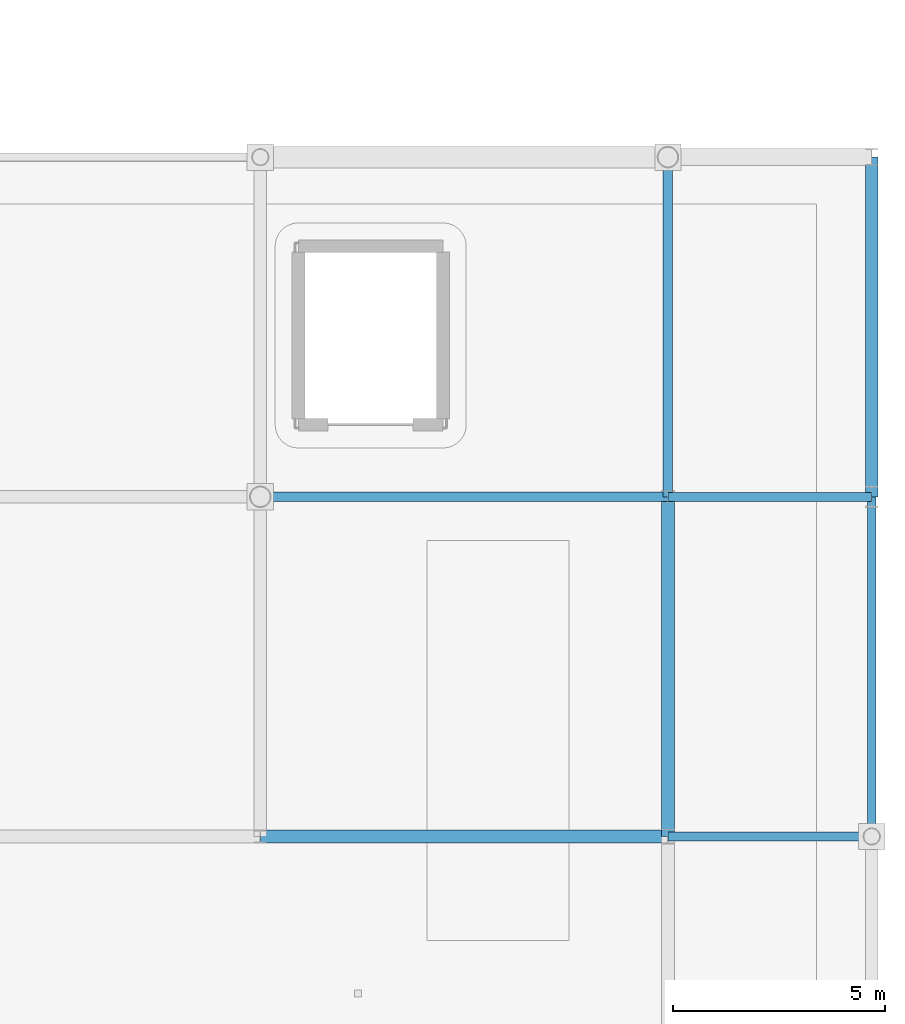
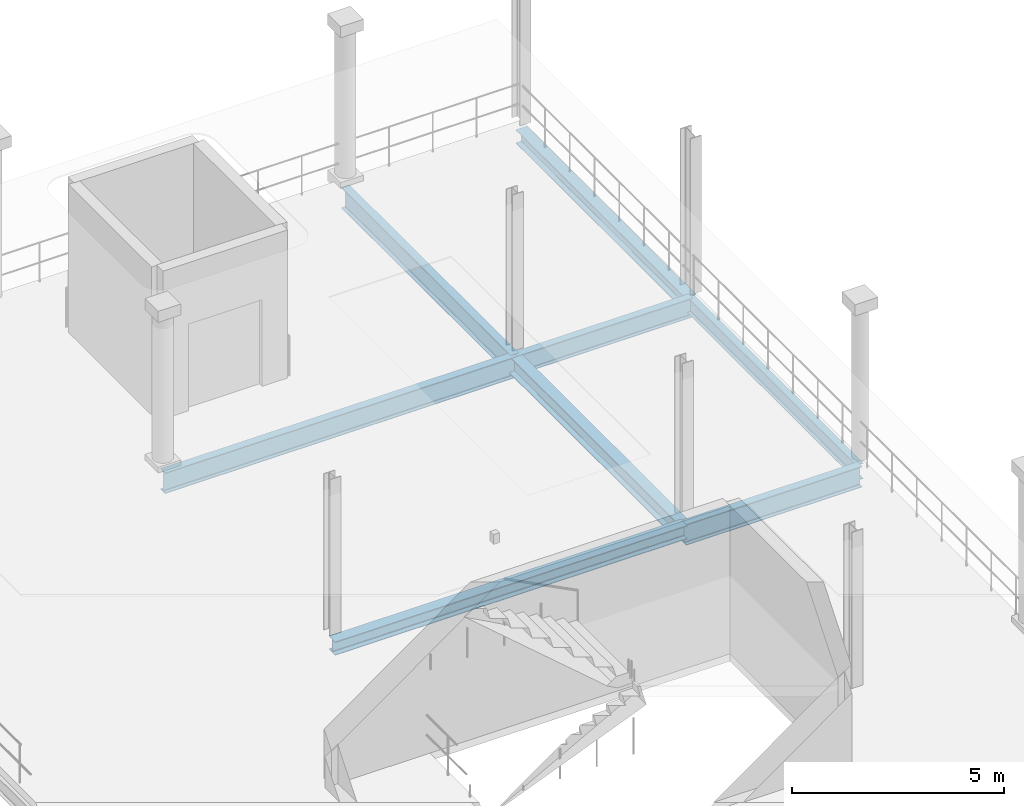
# One storey, part 114 of 193: 8 beams.
"""IFC4 building model written with IfcOpenShell, lengths in metres."""

from ifc_helpers import new_model, si_unit, direction, frame, origin, origin_2d, place, context, subcontext, project, spatial, i_section, extrude, material, material_profile, profile_set, type_object, element, save


model = new_model("IFC4")

# Units and contexts
model_context = context("Model", 3, precision=1e-05, world=origin(), true_north=direction((0.0, 1.0)))
body_context = subcontext(model_context, "Body", "Model", "MODEL_VIEW")
ifc_project = project(units=[si_unit("LENGTHUNIT", "METRE"), si_unit("AREAUNIT", "SQUARE_METRE"), si_unit("VOLUMEUNIT", "CUBIC_METRE"), si_unit("PLANEANGLEUNIT", "RADIAN"), si_unit("MASSUNIT", "GRAM", prefix="KILO")], contexts=[model_context])

# Site, building, storey
site_placement = place(None, origin())
site = spatial("IfcSite", under=ifc_project, at=site_placement, CompositionType="ELEMENT")
building_placement = place(site_placement, origin())
building = spatial("IfcBuilding", under=site, at=building_placement, Name="Danafjord Basin Convention Centre", CompositionType="ELEMENT")
storey_placement = place(building_placement, frame((0.0, 0.0, 11.39990234375)))
storey = spatial("IfcBuildingStorey", under=building, at=storey_placement, Name="L02", CompositionType="ELEMENT", Elevation=11.39990234375)

# Beams
ifc_material = material(Name="Steel S355", Category="steel")
ifc_material_profile_1 = material_profile(ifc_material, i_section(OverallWidth=0.300048828125, OverallDepth=0.389892578125, WebThickness=0.010986328125, FlangeThickness=0.01904296875, FilletRadius=0.027099609375, at=origin_2d()), Name="HEA 400")
ifc_profile_set_1 = profile_set([ifc_material_profile_1], Name="Steel S355")
beam_type_1 = type_object("IfcBeamType", Name="BEAM-BM-HEA400", PredefinedType="BEAM", material=ifc_profile_set_1)
beam_1_placement = place(storey_placement, frame((201.60009765625, 64.0, -0.4248046875), z_axis=(1.0, 0.0, 0.0), x_axis=(0.0, 1.0, 0.0)))
element("IfcBeam", 1, at=beam_1_placement, inside=storey, type_object=beam_type_1, Name="L02 girder BM-HEA400", PredefinedType="BEAM", context=body_context, shape_type="SweptSolid", body=[
    extrude(i_section(OverallWidth=0.300048828125, OverallDepth=0.389892578125, WebThickness=0.010986328125, FlangeThickness=0.01904296875, FilletRadius=0.027099609375, at=origin_2d()), origin(), (0.0, 0.0, 1.0), 9.599853515625),
])
ifc_material_profile_2 = material_profile(ifc_material, i_section(OverallWidth=0.300048828125, OverallDepth=0.5, WebThickness=0.014404296875, FlangeThickness=0.028076171875, FilletRadius=0.027099609375, at=origin_2d()), Name="HEB 500")
ifc_profile_set_2 = profile_set([ifc_material_profile_2], Name="Steel S355")
beam_type_2 = type_object("IfcBeamType", Name="BEAM-BM-HEB500", PredefinedType="BEAM", material=ifc_profile_set_2)
beam_2_placement = place(storey_placement, frame((211.199951171875, 64.0, -0.47998046875), z_axis=(0.0, 1.0, 0.0), x_axis=(-1.0, 0.0, 0.0)))
element("IfcBeam", 2, at=beam_2_placement, inside=storey, type_object=beam_type_2, Name="L02 transverse girder BM-HEB500", PredefinedType="BEAM", context=body_context, shape_type="SweptSolid", body=[
    extrude(i_section(OverallWidth=0.300048828125, OverallDepth=0.5, WebThickness=0.014404296875, FlangeThickness=0.028076171875, FilletRadius=0.027099609375, at=origin_2d()), origin(), (0.0, 0.0, 1.0), 8.0),
])
ifc_material_profile_3 = material_profile(ifc_material, i_section(OverallWidth=0.2099609375, OverallDepth=0.550048828125, WebThickness=0.010986328125, FlangeThickness=0.01708984375, FilletRadius=0.02392578125, at=origin_2d()), Name="IPE 550")
ifc_profile_set_3 = profile_set([ifc_material_profile_3], Name="Steel S355")
beam_type_3 = type_object("IfcBeamType", Name="BEAM-BM-IPE550", PredefinedType="BEAM", material=ifc_profile_set_3)
beam_3_placement = place(storey_placement, frame((211.199951171875, 72.0, -0.5048828125), z_axis=(1.0, 0.0, 0.0), x_axis=(0.0, 1.0, 0.0)))
element("IfcBeam", 3, at=beam_3_placement, inside=storey, type_object=beam_type_3, Name="L02 girder BM-IPE550", PredefinedType="BEAM", context=body_context, shape_type="SweptSolid", body=[
    extrude(i_section(OverallWidth=0.2099609375, OverallDepth=0.550048828125, WebThickness=0.010986328125, FlangeThickness=0.01708984375, FilletRadius=0.02392578125, at=origin_2d()), origin(), (0.0, 0.0, 1.0), 4.800048828125),
])
ifc_material_profile_4 = material_profile(ifc_material, i_section(OverallWidth=0.219970703125, OverallDepth=0.60009765625, WebThickness=0.011962890625, FlangeThickness=0.01904296875, FilletRadius=0.02392578125, at=origin_2d()), Name="IPE 600")
ifc_profile_set_4 = profile_set([ifc_material_profile_4], Name="Steel S355")
beam_type_4 = type_object("IfcBeamType", Name="BEAM-BM-IPE600", PredefinedType="BEAM", material=ifc_profile_set_4)
beam_4_placement = place(storey_placement, frame((201.60009765625, 72.0, -0.52978515625), z_axis=(1.0, 0.0, 0.0), x_axis=(0.0, 1.0, 0.0)))
element("IfcBeam", 4, at=beam_4_placement, inside=storey, type_object=beam_type_4, Name="L02 girder BM-IPE600", PredefinedType="BEAM", context=body_context, shape_type="SweptSolid", body=[
    extrude(i_section(OverallWidth=0.219970703125, OverallDepth=0.60009765625, WebThickness=0.011962890625, FlangeThickness=0.01904296875, FilletRadius=0.02392578125, at=origin_2d()), origin(), (0.0, 0.0, 1.0), 9.599853515625),
])
beam_5_placement = place(storey_placement, frame((211.199951171875, 64.0, -0.52978515625), z_axis=(1.0, 0.0, 0.0), x_axis=(0.0, 1.0, 0.0)))
element("IfcBeam", 5, at=beam_5_placement, inside=storey, type_object=beam_type_4, Name="L02 girder BM-IPE600", PredefinedType="BEAM", context=body_context, shape_type="SweptSolid", body=[
    extrude(i_section(OverallWidth=0.219970703125, OverallDepth=0.60009765625, WebThickness=0.011962890625, FlangeThickness=0.01904296875, FilletRadius=0.02392578125, at=origin_2d()), origin(), (0.0, 0.0, 1.0), 4.800048828125),
])
beam_6_placement = place(storey_placement, frame((211.199951171875, 72.0, -0.52978515625), z_axis=(0.0, 1.0, 0.0), x_axis=(-1.0, 0.0, 0.0)))
element("IfcBeam", 6, at=beam_6_placement, inside=storey, type_object=beam_type_4, Name="L02 transverse girder BM-IPE600", PredefinedType="BEAM", context=body_context, shape_type="SweptSolid", body=[
    extrude(i_section(OverallWidth=0.219970703125, OverallDepth=0.60009765625, WebThickness=0.011962890625, FlangeThickness=0.01904296875, FilletRadius=0.02392578125, at=origin_2d()), origin(), (0.0, 0.0, 1.0), 8.0),
])
ifc_material_profile_5 = material_profile(ifc_material, i_section(OverallWidth=0.300048828125, OverallDepth=0.39990234375, WebThickness=0.013427734375, FlangeThickness=0.02392578125, FilletRadius=0.027099609375, at=origin_2d()), Name="HEB 400")
ifc_profile_set_5 = profile_set([ifc_material_profile_5], Name="Steel S355")
beam_type_5 = type_object("IfcBeamType", Name="BEAM-SP-HEB400", PredefinedType="SPANDREL", material=ifc_profile_set_5)
beam_7_placement = place(storey_placement, frame((216.0, 72.0, -0.429931640625), z_axis=(0.0, 1.0, 0.0), x_axis=(-1.0, 0.0, 0.0)))
element("IfcBeam", 7, at=beam_7_placement, inside=storey, type_object=beam_type_5, Name="L02 transverse girder SP-HEB400", PredefinedType="SPANDREL", context=body_context, shape_type="SweptSolid", body=[
    extrude(i_section(OverallWidth=0.300048828125, OverallDepth=0.39990234375, WebThickness=0.013427734375, FlangeThickness=0.02392578125, FilletRadius=0.027099609375, at=origin_2d()), origin(), (0.0, 0.0, 1.0), 8.0),
])
ifc_material_profile_6 = material_profile(ifc_material, i_section(OverallWidth=0.18994140625, OverallDepth=0.449951171875, WebThickness=0.009521484375, FlangeThickness=0.0146484375, FilletRadius=0.02099609375, at=origin_2d()), Name="IPE 450")
ifc_profile_set_6 = profile_set([ifc_material_profile_6], Name="Steel S355")
beam_type_6 = type_object("IfcBeamType", Name="BEAM-SP-IPE450", PredefinedType="SPANDREL", material=ifc_profile_set_6)
beam_8_placement = place(storey_placement, frame((216.0, 64.0, -0.454833984375), z_axis=(0.0, 1.0, 0.0), x_axis=(-1.0, 0.0, 0.0)))
element("IfcBeam", 8, at=beam_8_placement, inside=storey, type_object=beam_type_6, Name="L02 transverse girder SP-IPE450", PredefinedType="SPANDREL", context=body_context, shape_type="SweptSolid", body=[
    extrude(i_section(OverallWidth=0.18994140625, OverallDepth=0.449951171875, WebThickness=0.009521484375, FlangeThickness=0.0146484375, FilletRadius=0.02099609375, at=origin_2d()), origin(), (0.0, 0.0, 1.0), 8.0),
])

save(model, "model.ifc")
